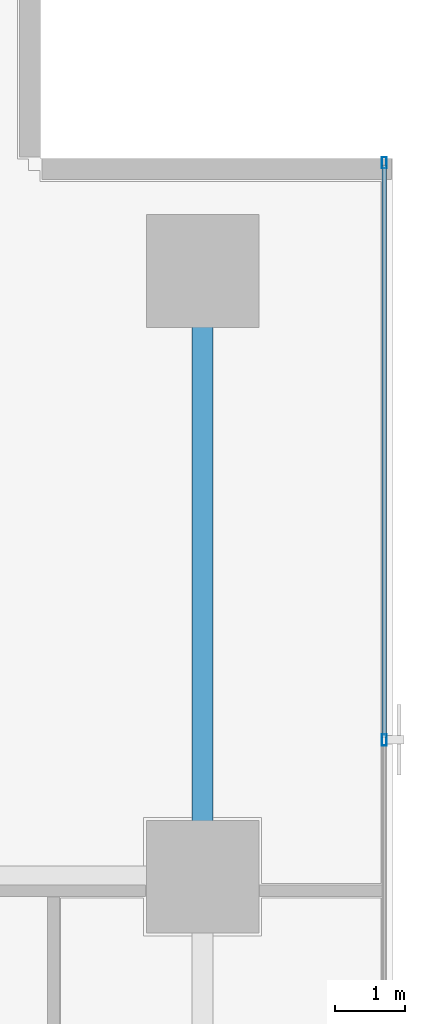
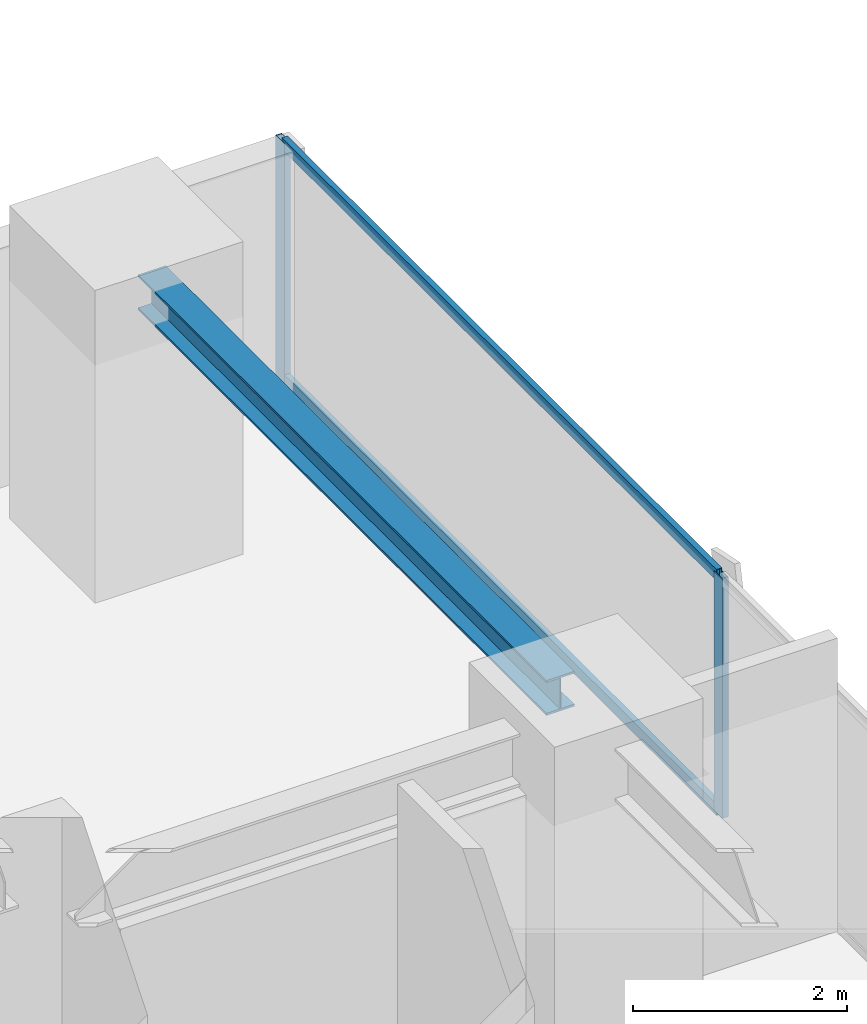
# One storey, part 24 of 37: 4 members, 1 beam, 1 element without a shape of its own.
"""IFC4 building model written with IfcOpenShell, lengths in metres."""

from ifc_helpers import new_model, si_unit, direction, frame, origin, origin_2d, place, context, subcontext, project, spatial, hollow_rectangle, i_section, extrude, source, transform, mapped, material, layer, layer_set, material_profile, profile_set, type_object, element, aggregate, save


model = new_model("IFC4")

# Units and contexts
model_context = context("Model", 3, precision=1e-05, world=origin(), true_north=direction((0.0, 1.0)))
body_context = subcontext(model_context, "Body", "Model", "MODEL_VIEW")
ifc_project = project(units=[si_unit("LENGTHUNIT", "METRE"), si_unit("AREAUNIT", "SQUARE_METRE"), si_unit("VOLUMEUNIT", "CUBIC_METRE"), si_unit("PLANEANGLEUNIT", "RADIAN"), si_unit("MASSUNIT", "GRAM", prefix="KILO")], contexts=[model_context])

# Site, building, storey
site_placement = place(None, origin())
site = spatial("IfcSite", under=ifc_project, at=site_placement, CompositionType="ELEMENT")
building_placement = place(site_placement, origin())
building = spatial("IfcBuilding", under=site, at=building_placement, Name="Sumidabori Civic Tower", CompositionType="ELEMENT")
storey_placement = place(building_placement, frame((0.0, 0.0, 110.0)))
storey = spatial("IfcBuildingStorey", under=building, at=storey_placement, Name="L28", CompositionType="ELEMENT", Elevation=110.0)

# Beam
ifc_material_1 = material(Name="Steel SN490", Category="steel")
ifc_material_profile_1 = material_profile(ifc_material_1, i_section(OverallWidth=0.300048828125, OverallDepth=0.39990234375, WebThickness=0.013427734375, FlangeThickness=0.02392578125, at=origin_2d()), Name="HE 400 B")
ifc_profile_set_1 = profile_set([ifc_material_profile_1], Name="Steel SN490")
beam_type = type_object("IfcBeamType", Name="BM-GIRD-400", PredefinedType="BEAM", material=ifc_profile_set_1)
shared_shape_1 = source(origin(), body_context, "Body", "SweptSolid", [
    extrude(i_section(OverallWidth=0.300048828125, OverallDepth=0.39990234375, WebThickness=0.013427734375, FlangeThickness=0.02392578125, at=origin_2d()), origin(), (0.0, 0.0, 1.0), 7.64013671875),
])
beam_placement = place(storey_placement, frame((22.800048828125, 10.679931640625, 3.159912109375), z_axis=(0.0, 1.0, 0.0), x_axis=(-1.0, 0.0, 0.0)))
element("IfcBeam", 1, at=beam_placement, inside=storey, type_object=beam_type, Name="Primary Girder L28 GY-42", PredefinedType="BEAM", context=body_context, shape_type="MappedRepresentation", body=[
    mapped(shared_shape_1, transform((0.0, 0.0, 0.0), x_axis=(1.0, 0.0, 0.0), y_axis=(0.0, 1.0, 0.0), z_axis=(0.0, 0.0, 1.0), scale=1.0)),
])

# Curtain wall, members
ifc_material_2 = material(Name="Anodised Bronze Aluminium AW-6063-T6", Category="aluminium")
ifc_layer = layer(ifc_material_2, 0.179931640625, Name="Anodised Bronze Aluminium AW-6063-T6")
ifc_layer_set = layer_set([ifc_layer], Name="Anodised Bronze Aluminium AW-6063-T6")
curtain_wall_type = type_object("IfcCurtainWallType", Name="CW-SYS-3", PredefinedType="NOTDEFINED", material=ifc_layer_set)
curtain_wall_placement = place(storey_placement, origin())
curtain_wall = element("IfcCurtainWall", 2, at=curtain_wall_placement, inside=storey, type_object=curtain_wall_type, Name="Curtain Wall CW:L28:R04", PredefinedType="NOTDEFINED")
ifc_material_profile_2 = material_profile(ifc_material_2, hollow_rectangle(XDim=0.06494140625, YDim=0.159912109375, WallThickness=0.0048828125, at=origin_2d()), Name="ALU MULLION 160x65")
ifc_profile_set_2 = profile_set([ifc_material_profile_2], Name="Anodised Bronze Aluminium AW-6063-T6")
member_type_1 = type_object("IfcMemberType", Name="CW-MUL-160", PredefinedType="MULLION", material=ifc_profile_set_2)
shared_shape_2 = source(origin(), body_context, "Body", "SweptSolid", [
    extrude(hollow_rectangle(XDim=0.06494140625, YDim=0.159912109375, WallThickness=0.0048828125, at=origin_2d()), origin(), (0.0, 0.0, 1.0), 2.739990234375),
])
member_1_placement = place(storey_placement, frame((25.3798828125, 12.14208984375, 0.0), z_axis=(0.0, 0.0, 1.0), x_axis=(-1.0, 0.0, 0.0)))
member_1 = element("IfcMember", 3, at=member_1_placement, type_object=member_type_1, Name="CW-3 mullion 5", PredefinedType="MULLION", context=body_context, shape_type="MappedRepresentation", body=[
    mapped(shared_shape_2, transform((0.0, 0.0, 0.0), x_axis=(1.0, 0.0, 0.0), y_axis=(0.0, 1.0, 0.0), z_axis=(0.0, 0.0, 1.0), scale=1.0)),
])
member_2_placement = place(storey_placement, frame((25.3798828125, 20.33740234375, 0.0), z_axis=(0.0, 0.0, 1.0), x_axis=(-1.0, 0.0, 0.0)))
member_2 = element("IfcMember", 4, at=member_2_placement, type_object=member_type_1, Name="CW-3 mullion 6", PredefinedType="MULLION", context=body_context, shape_type="MappedRepresentation", body=[
    mapped(shared_shape_2, transform((0.0, 0.0, 0.0), x_axis=(1.0, 0.0, 0.0), y_axis=(0.0, 1.0, 0.0), z_axis=(0.0, 0.0, 1.0), scale=1.0)),
])
ifc_material_profile_3 = material_profile(ifc_material_2, hollow_rectangle(XDim=0.06005859375, YDim=0.1298828125, WallThickness=0.0048828125, at=origin_2d()), Name="ALU TRANSOM 130x60")
ifc_profile_set_3 = profile_set([ifc_material_profile_3], Name="Anodised Bronze Aluminium AW-6063-T6")
member_type_2 = type_object("IfcMemberType", Name="CW-TRN-130", PredefinedType="USERDEFINED", material=ifc_profile_set_3)
shared_shape_3 = source(origin(), body_context, "Body", "SweptSolid", [
    extrude(hollow_rectangle(XDim=0.06005859375, YDim=0.1298828125, WallThickness=0.0048828125, at=origin_2d()), origin(), (0.0, 0.0, 1.0), 8.13037109375),
])
member_3_placement = place(storey_placement, frame((25.3798828125, 12.174560546875, 0.030029296875), z_axis=(0.0, 1.0, 0.0), x_axis=(-1.0, 0.0, 0.0)))
member_3 = element("IfcMember", 5, at=member_3_placement, type_object=member_type_2, Name="CW-3 transom 5.1", ObjectType="TRANSOM", PredefinedType="USERDEFINED", context=body_context, shape_type="MappedRepresentation", body=[
    mapped(shared_shape_3, transform((0.0, 0.0, 0.0), x_axis=(1.0, 0.0, 0.0), y_axis=(0.0, 1.0, 0.0), z_axis=(0.0, 0.0, 1.0), scale=1.0)),
])
member_4_placement = place(storey_placement, frame((25.3798828125, 12.174560546875, 2.7099609375), z_axis=(0.0, 1.0, 0.0), x_axis=(-1.0, 0.0, 0.0)))
member_4 = element("IfcMember", 6, at=member_4_placement, type_object=member_type_2, Name="CW-3 transom 5.2", ObjectType="TRANSOM", PredefinedType="USERDEFINED", context=body_context, shape_type="MappedRepresentation", body=[
    mapped(shared_shape_3, transform((0.0, 0.0, 0.0), x_axis=(1.0, 0.0, 0.0), y_axis=(0.0, 1.0, 0.0), z_axis=(0.0, 0.0, 1.0), scale=1.0)),
])
aggregate(curtain_wall, [member_1, member_2, member_3, member_4])

save(model, "model.ifc")
